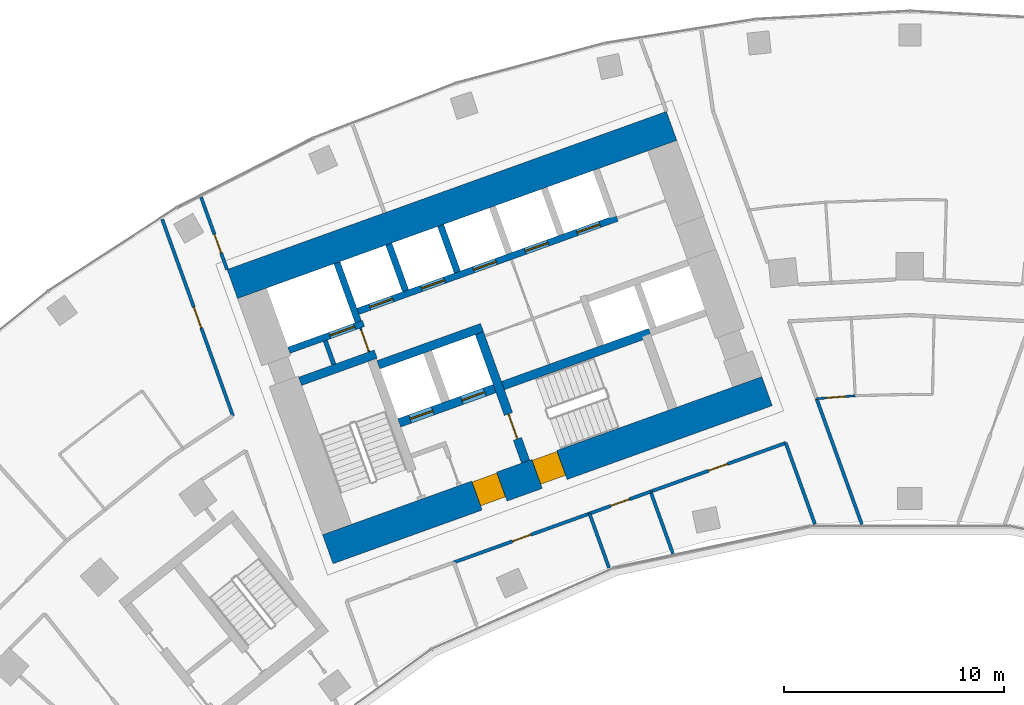
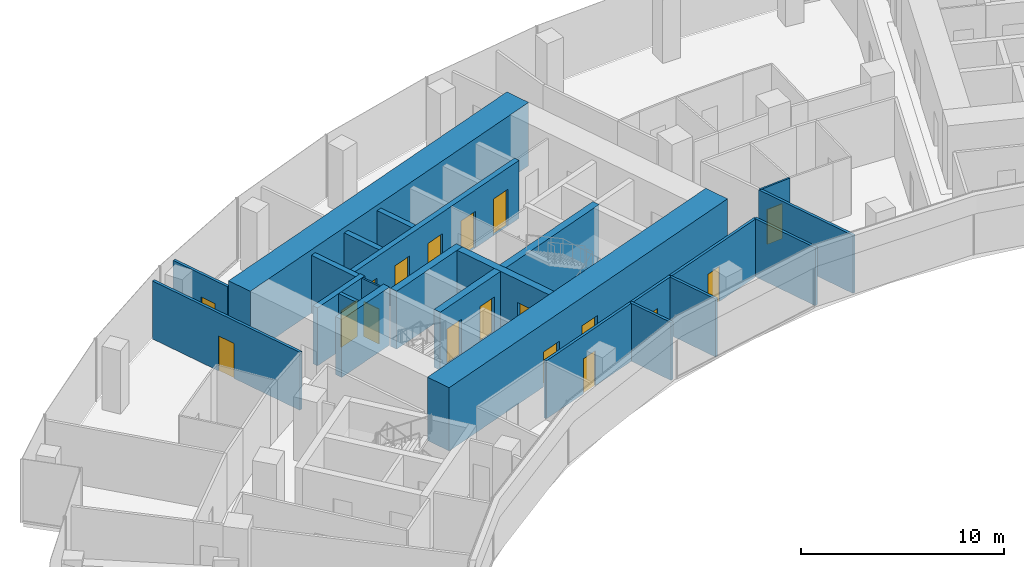
# One storey, part 14 of 21: 23 walls, 18 doors, 18 openings.
"""IFC4 building model written with IfcOpenShell, lengths in metres."""

from ifc_helpers import new_model, si_unit, direction, frame, frame_2d, origin, place, context, subcontext, project, spatial, rectangle, extrude, material, layer, layer_set, type_object, element, fill, save


model = new_model("IFC4")

# Units and contexts
model_context = context("Model", 3, precision=1e-05, world=origin(), true_north=direction((0.0, 1.0)))
body_context = subcontext(model_context, "Body", "Model", "MODEL_VIEW")
ifc_project = project(units=[si_unit("LENGTHUNIT", "METRE"), si_unit("AREAUNIT", "SQUARE_METRE"), si_unit("VOLUMEUNIT", "CUBIC_METRE"), si_unit("PLANEANGLEUNIT", "RADIAN"), si_unit("MASSUNIT", "GRAM", prefix="KILO")], contexts=[model_context])

# Site, building, storey
site_placement = place(None, origin())
site = spatial("IfcSite", under=ifc_project, at=site_placement, CompositionType="ELEMENT")
building_placement = place(site_placement, origin())
building = spatial("IfcBuilding", under=site, at=building_placement, Name="Stone Belt Terrace Tower", CompositionType="ELEMENT")
storey_placement = place(building_placement, frame((0.0, 0.0, 163.0)))
storey = spatial("IfcBuildingStorey", under=building, at=storey_placement, Name="L39", CompositionType="ELEMENT", Elevation=163.0)

# Wall, opening, door
ifc_material_1 = material(Name="Plasterboard partition")
ifc_layer_1 = layer(ifc_material_1, 0.10009765625)
ifc_layer_set_1 = layer_set([ifc_layer_1], Name="Core partition 100")
wall_type_1 = type_object("IfcWallType", Name="Core partition 100", PredefinedType="PARTITIONING", material=ifc_layer_set_1)
wall_1_placement = place(storey_placement, frame((-24.555908203125, 51.10400390625, 0.0), z_axis=(0.0, 0.0, 1.0), x_axis=(-0.338621735342, 0.94092258999, 0.0)))
wall_1 = element("IfcWall", 1, at=wall_1_placement, inside=storey, type_object=wall_type_1, Name="Core A wall", PredefinedType="PARTITIONING", context=body_context, shape_type="SweptSolid", body=[
    extrude(rectangle(XDim=1.14990234375, YDim=0.10009765625, at=frame_2d((0.574951171875, 0.0))), origin(), (0.0, 0.0, 1.0), 3.47998046875),
])
opening_1_placement = place(wall_1_placement, frame((0.050048828125, 0.0, 0.0)))
opening_1 = element("IfcOpeningElement", 2, at=opening_1_placement, cuts=wall_1, Name="Opening L39-C05", PredefinedType="OPENING", context=body_context, shape_type="SweptSolid", body=[
    extrude(rectangle(XDim=1.0, YDim=2.10009765625, at=frame_2d((0.5, 1.050048828125))), frame((0.0, 0.06005859375, 0.0), z_axis=(0.0, -1.0, 0.0), x_axis=(1.0, 0.0, 0.0)), (0.0, 0.0, 1.0), 0.1201171875),
])
ifc_material_2 = material(Name="Timber door leaf", Category="wood")
door_type_1 = type_object("IfcDoorType", Name="Core room door 1000", OperationType="SINGLE_SWING_LEFT", PredefinedType="DOOR", material=ifc_material_2)
door_1_placement = place(opening_1_placement, origin())
door_1 = element("IfcDoor", 3, at=door_1_placement, inside=storey, type_object=door_type_1, Name="Service lift lobby door core A", OperationType="SINGLE_SWING_LEFT", OverallHeight=2.10009765625, OverallWidth=1.0, PredefinedType="DOOR", context=body_context, shape_type="SweptSolid", body=[
    extrude(rectangle(XDim=1.0, YDim=2.10009765625, at=frame_2d((0.5, 1.050048828125))), frame((0.0, 0.02490234375, 0.0), z_axis=(0.0, -1.0, 0.0), x_axis=(1.0, 0.0, 0.0)), (0.0, 0.0, 1.0), 0.050048828125),
])
fill(opening_1, door_1)

# Wall, openings, doors
ifc_material_3 = material(Name="Concrete B80", Category="concrete")
ifc_layer_2 = layer(ifc_material_3, 1.39990234375)
ifc_layer_set_2 = layer_set([ifc_layer_2], Name="Core wall 1400 B80")
wall_type_2 = type_object("IfcWallType", Name="Core wall 1400 B80", PredefinedType="SHEAR", material=ifc_layer_set_2)
wall_2_placement = place(storey_placement, frame((-26.430908203125, 42.139404296875, 0.0), z_axis=(0.0, 0.0, 1.0), x_axis=(0.940923374003, 0.33861955681, 0.0)))
wall_2 = element("IfcWall", 4, at=wall_2_placement, inside=storey, type_object=wall_type_2, Name="Core A wall concave L39", PredefinedType="SHEAR", context=body_context, shape_type="SweptSolid", body=[
    extrude(rectangle(XDim=21.199951171875, YDim=1.39990234375, at=frame_2d((10.60009765625, 0.0))), origin(), (0.0, 0.0, 1.0), 3.800048828125),
])
opening_2_placement = place(wall_2_placement, frame((7.199951171875, 0.0, 0.0)))
opening_2 = element("IfcOpeningElement", 5, at=opening_2_placement, cuts=wall_2, Name="Opening L39-C10", PredefinedType="OPENING", context=body_context, shape_type="SweptSolid", body=[
    extrude(rectangle(XDim=1.199951171875, YDim=2.10009765625, at=frame_2d((0.60009765625, 1.050048828125))), frame((0.0, 0.7099609375, 0.0), z_axis=(0.0, -1.0, 0.0), x_axis=(1.0, 0.0, 0.0)), (0.0, 0.0, 1.0), 1.419921875),
])
opening_3_placement = place(wall_2_placement, frame((10.099853515625, 0.0, 0.0)))
opening_3 = element("IfcOpeningElement", 6, at=opening_3_placement, cuts=wall_2, Name="Opening L39-C12", PredefinedType="OPENING", context=body_context, shape_type="SweptSolid", body=[
    extrude(rectangle(XDim=1.199951171875, YDim=2.10009765625, at=frame_2d((0.60009765625, 1.050048828125))), frame((0.0, 0.7099609375, 0.0), z_axis=(0.0, -1.0, 0.0), x_axis=(1.0, 0.0, 0.0)), (0.0, 0.0, 1.0), 1.419921875),
])
ifc_material_4 = material(Name="Steel door leaf", Category="steel")
door_type_2 = type_object("IfcDoorType", Name="Fire-fighting lobby door 1200", OperationType="SINGLE_SWING_LEFT", PredefinedType="DOOR", material=ifc_material_4)
door_2_placement = place(opening_2_placement, origin())
door_2 = element("IfcDoor", 7, at=door_2_placement, inside=storey, type_object=door_type_2, Name="Fire-fighting lobby door core A", OperationType="SINGLE_SWING_LEFT", OverallHeight=2.10009765625, OverallWidth=1.199951171875, PredefinedType="DOOR", context=body_context, shape_type="SweptSolid", body=[
    extrude(rectangle(XDim=1.199951171875, YDim=2.10009765625, at=frame_2d((0.60009765625, 1.050048828125))), frame((0.0, 0.655029296875, 0.0), z_axis=(0.0, -1.0, 0.0), x_axis=(1.0, 0.0, 0.0)), (0.0, 0.0, 1.0), 1.14990234375),
])
fill(opening_2, door_2)
door_type_3 = type_object("IfcDoorType", Name="Stair door 1200", OperationType="SINGLE_SWING_LEFT", PredefinedType="DOOR", material=ifc_material_4)
door_3_placement = place(opening_3_placement, origin())
door_3 = element("IfcDoor", 8, at=door_3_placement, inside=storey, type_object=door_type_3, Name="Stair 2 exit door core A", OperationType="SINGLE_SWING_RIGHT", OverallHeight=2.10009765625, OverallWidth=1.199951171875, PredefinedType="DOOR", context=body_context, shape_type="SweptSolid", body=[
    extrude(rectangle(XDim=1.199951171875, YDim=2.10009765625, at=frame_2d((0.60009765625, 1.050048828125))), frame((0.0, 0.655029296875, 0.0), z_axis=(0.0, -1.0, 0.0), x_axis=(1.0, 0.0, 0.0)), (0.0, 0.0, 1.0), 1.14990234375),
])
fill(opening_3, door_3)

# Walls
wall_3_placement = place(storey_placement, frame((-30.765380859375, 54.18310546875, 0.0), z_axis=(0.0, 0.0, 1.0), x_axis=(0.940919704758, 0.338629752382, 0.0)))
element("IfcWall", 9, at=wall_3_placement, inside=storey, type_object=wall_type_2, Name="Core A wall convex L39", PredefinedType="SHEAR", context=body_context, shape_type="SweptSolid", body=[
    extrude(rectangle(XDim=21.199951171875, YDim=1.39990234375, at=frame_2d((10.60009765625, 0.0))), origin(), (0.0, 0.0, 1.0), 3.800048828125),
])
ifc_layer_3 = layer(ifc_material_3, 0.39990234375)
ifc_layer_set_3 = layer_set([ifc_layer_3], Name="Fire-fighting lift shaft wall 400")
wall_type_3 = type_object("IfcWallType", Name="Fire-fighting lift shaft wall 400", PredefinedType="SHEAR", material=ifc_layer_set_3)
wall_4_placement = place(storey_placement, frame((-24.130615234375, 50.512939453125, 0.0), z_axis=(0.0, 0.0, 1.0), x_axis=(0.94091168377, 0.338652038744, 0.0)))
element("IfcWall", 10, at=wall_4_placement, inside=storey, type_object=wall_type_3, Name="Core A wall", PredefinedType="SHEAR", context=body_context, shape_type="SweptSolid", body=[
    extrude(rectangle(XDim=5.000244140625, YDim=0.39990234375, at=frame_2d((2.5, 0.0))), origin(), (0.0, 0.0, 1.0), 3.47998046875),
])

# Wall, opening, door
ifc_layer_4 = layer(ifc_material_3, 0.300048828125)
ifc_layer_set_4 = layer_set([ifc_layer_4], Name="Lift shaft wall 300")
wall_type_4 = type_object("IfcWallType", Name="Lift shaft wall 300", PredefinedType="SHEAR", material=ifc_layer_set_4)
wall_5_placement = place(storey_placement, frame((-28.195068359375, 51.17578125, 0.0), z_axis=(0.0, 0.0, 1.0), x_axis=(0.940901243567, 0.338681044427, 0.0)))
wall_5 = element("IfcWall", 11, at=wall_5_placement, inside=storey, type_object=wall_type_4, Name="Core A wall", PredefinedType="SHEAR", context=body_context, shape_type="SweptSolid", body=[
    extrude(rectangle(XDim=3.599853515625, YDim=0.300048828125, at=frame_2d((1.7998046875, 0.0))), origin(), (0.0, 0.0, 1.0), 3.47998046875),
])
opening_4_placement = place(wall_5_placement, frame((1.969970703125, 0.0, 0.0)))
opening_4 = element("IfcOpeningElement", 12, at=opening_4_placement, cuts=wall_5, Name="Opening L39-LD08", PredefinedType="OPENING", context=body_context, shape_type="SweptSolid", body=[
    extrude(rectangle(XDim=1.199951171875, YDim=2.199951171875, at=frame_2d((0.60009765625, 1.10009765625))), frame((0.0, 0.159912109375, 0.0), z_axis=(0.0, -1.0, 0.0), x_axis=(1.0, 0.0, 0.0)), (0.0, 0.0, 1.0), 0.320068359375),
])
ifc_material_5 = material(Name="Stainless steel door leaf", Category="steel")
door_type_4 = type_object("IfcDoorType", Name="Landing door 1200", OperationType="SLIDING_TO_LEFT", PredefinedType="DOOR", material=ifc_material_5)
door_4_placement = place(opening_4_placement, origin())
door_4 = element("IfcDoor", 13, at=door_4_placement, inside=storey, type_object=door_type_4, Name="Landing door SV1 core A", OperationType="SLIDING_TO_LEFT", OverallHeight=2.199951171875, OverallWidth=1.199951171875, PredefinedType="DOOR", context=body_context, shape_type="SweptSolid", body=[
    extrude(rectangle(XDim=1.199951171875, YDim=2.199951171875, at=frame_2d((0.60009765625, 1.10009765625))), frame((0.0, 0.02490234375, 0.0), z_axis=(0.0, -1.0, 0.0), x_axis=(1.0, 0.0, 0.0)), (0.0, 0.0, 1.0), 0.050048828125),
])
fill(opening_4, door_4)

# Wall
wall_6_placement = place(storey_placement, frame((-25.046875, 52.46826171875, 0.0), z_axis=(0.0, 0.0, 1.0), x_axis=(-0.338549588058, 0.940948551423, 0.0)))
element("IfcWall", 14, at=wall_6_placement, inside=storey, type_object=wall_type_4, Name="Core A wall", PredefinedType="SHEAR", context=body_context, shape_type="SweptSolid", body=[
    extrude(rectangle(XDim=2.849853515625, YDim=0.300048828125, at=frame_2d((1.4248046875, 0.0))), origin(), (0.0, 0.0, 1.0), 3.47998046875),
])

# Wall, openings, doors
wall_7_placement = place(storey_placement, frame((-25.05810546875, 52.9423828125, 0.0), z_axis=(0.0, 0.0, 1.0), x_axis=(0.940920770291, 0.338626791666, 0.0)))
wall_7 = element("IfcWall", 15, at=wall_7_placement, inside=storey, type_object=wall_type_4, Name="Core A wall", PredefinedType="SHEAR", context=body_context, shape_type="SweptSolid", body=[
    extrude(rectangle(XDim=12.500244140625, YDim=0.300048828125, at=frame_2d((6.25, 0.0))), origin(), (0.0, 0.0, 1.0), 3.47998046875),
])
opening_5_placement = place(wall_7_placement, frame((0.570068359375, 0.0, 0.0)))
opening_5 = element("IfcOpeningElement", 16, at=opening_5_placement, cuts=wall_7, Name="Opening L39-LD01", PredefinedType="OPENING", context=body_context, shape_type="SweptSolid", body=[
    extrude(rectangle(XDim=1.10009765625, YDim=2.199951171875, at=frame_2d((0.550048828125, 1.10009765625))), frame((0.0, 0.159912109375, 0.0), z_axis=(0.0, -1.0, 0.0), x_axis=(1.0, 0.0, 0.0)), (0.0, 0.0, 1.0), 0.320068359375),
])
opening_6_placement = place(wall_7_placement, frame((3.070068359375, 0.0, 0.0)))
opening_6 = element("IfcOpeningElement", 17, at=opening_6_placement, cuts=wall_7, Name="Opening L39-LD02", PredefinedType="OPENING", context=body_context, shape_type="SweptSolid", body=[
    extrude(rectangle(XDim=1.10009765625, YDim=2.199951171875, at=frame_2d((0.550048828125, 1.10009765625))), frame((0.0, 0.159912109375, 0.0), z_axis=(0.0, -1.0, 0.0), x_axis=(1.0, 0.0, 0.0)), (0.0, 0.0, 1.0), 0.320068359375),
])
opening_7_placement = place(wall_7_placement, frame((5.570068359375, 0.0, 0.0)))
opening_7 = element("IfcOpeningElement", 18, at=opening_7_placement, cuts=wall_7, Name="Opening L39-LD03", PredefinedType="OPENING", context=body_context, shape_type="SweptSolid", body=[
    extrude(rectangle(XDim=1.10009765625, YDim=2.199951171875, at=frame_2d((0.550048828125, 1.10009765625))), frame((0.0, 0.159912109375, 0.0), z_axis=(0.0, -1.0, 0.0), x_axis=(1.0, 0.0, 0.0)), (0.0, 0.0, 1.0), 0.320068359375),
])
opening_8_placement = place(wall_7_placement, frame((8.070068359375, 0.0, 0.0)))
opening_8 = element("IfcOpeningElement", 19, at=opening_8_placement, cuts=wall_7, Name="Opening L39-LD04", PredefinedType="OPENING", context=body_context, shape_type="SweptSolid", body=[
    extrude(rectangle(XDim=1.10009765625, YDim=2.199951171875, at=frame_2d((0.550048828125, 1.10009765625))), frame((0.0, 0.159912109375, 0.0), z_axis=(0.0, -1.0, 0.0), x_axis=(1.0, 0.0, 0.0)), (0.0, 0.0, 1.0), 0.320068359375),
])
opening_9_placement = place(wall_7_placement, frame((10.570068359375, 0.0, 0.0)))
opening_9 = element("IfcOpeningElement", 20, at=opening_9_placement, cuts=wall_7, Name="Opening L39-LD05", PredefinedType="OPENING", context=body_context, shape_type="SweptSolid", body=[
    extrude(rectangle(XDim=1.10009765625, YDim=2.199951171875, at=frame_2d((0.550048828125, 1.10009765625))), frame((0.0, 0.159912109375, 0.0), z_axis=(0.0, -1.0, 0.0), x_axis=(1.0, 0.0, 0.0)), (0.0, 0.0, 1.0), 0.320068359375),
])
door_type_5 = type_object("IfcDoorType", Name="Landing door 1100", OperationType="SLIDING_TO_LEFT", PredefinedType="DOOR", material=ifc_material_5)
door_5_placement = place(opening_5_placement, origin())
door_5 = element("IfcDoor", 21, at=door_5_placement, inside=storey, type_object=door_type_5, Name="Landing door MR1 core A", OperationType="SLIDING_TO_LEFT", OverallHeight=2.199951171875, OverallWidth=1.10009765625, PredefinedType="DOOR", context=body_context, shape_type="SweptSolid", body=[
    extrude(rectangle(XDim=1.10009765625, YDim=2.199951171875, at=frame_2d((0.550048828125, 1.10009765625))), frame((0.0, 0.02490234375, 0.0), z_axis=(0.0, -1.0, 0.0), x_axis=(1.0, 0.0, 0.0)), (0.0, 0.0, 1.0), 0.050048828125),
])
fill(opening_5, door_5)
door_6_placement = place(opening_6_placement, origin())
door_6 = element("IfcDoor", 22, at=door_6_placement, inside=storey, type_object=door_type_5, Name="Landing door MR2 core A", OperationType="SLIDING_TO_LEFT", OverallHeight=2.199951171875, OverallWidth=1.10009765625, PredefinedType="DOOR", context=body_context, shape_type="SweptSolid", body=[
    extrude(rectangle(XDim=1.10009765625, YDim=2.199951171875, at=frame_2d((0.550048828125, 1.10009765625))), frame((0.0, 0.02490234375, 0.0), z_axis=(0.0, -1.0, 0.0), x_axis=(1.0, 0.0, 0.0)), (0.0, 0.0, 1.0), 0.050048828125),
])
fill(opening_6, door_6)
door_7_placement = place(opening_7_placement, origin())
door_7 = element("IfcDoor", 23, at=door_7_placement, inside=storey, type_object=door_type_5, Name="Landing door MR3 core A", OperationType="SLIDING_TO_LEFT", OverallHeight=2.199951171875, OverallWidth=1.10009765625, PredefinedType="DOOR", context=body_context, shape_type="SweptSolid", body=[
    extrude(rectangle(XDim=1.10009765625, YDim=2.199951171875, at=frame_2d((0.550048828125, 1.10009765625))), frame((0.0, 0.02490234375, 0.0), z_axis=(0.0, -1.0, 0.0), x_axis=(1.0, 0.0, 0.0)), (0.0, 0.0, 1.0), 0.050048828125),
])
fill(opening_7, door_7)
door_8_placement = place(opening_8_placement, origin())
door_8 = element("IfcDoor", 24, at=door_8_placement, inside=storey, type_object=door_type_5, Name="Landing door MR4 core A", OperationType="SLIDING_TO_LEFT", OverallHeight=2.199951171875, OverallWidth=1.10009765625, PredefinedType="DOOR", context=body_context, shape_type="SweptSolid", body=[
    extrude(rectangle(XDim=1.10009765625, YDim=2.199951171875, at=frame_2d((0.550048828125, 1.10009765625))), frame((0.0, 0.02490234375, 0.0), z_axis=(0.0, -1.0, 0.0), x_axis=(1.0, 0.0, 0.0)), (0.0, 0.0, 1.0), 0.050048828125),
])
fill(opening_8, door_8)
door_9_placement = place(opening_9_placement, origin())
door_9 = element("IfcDoor", 25, at=door_9_placement, inside=storey, type_object=door_type_5, Name="Landing door MR5 core A", OperationType="SLIDING_TO_LEFT", OverallHeight=2.199951171875, OverallWidth=1.10009765625, PredefinedType="DOOR", context=body_context, shape_type="SweptSolid", body=[
    extrude(rectangle(XDim=1.10009765625, YDim=2.199951171875, at=frame_2d((0.550048828125, 1.10009765625))), frame((0.0, 0.02490234375, 0.0), z_axis=(0.0, -1.0, 0.0), x_axis=(1.0, 0.0, 0.0)), (0.0, 0.0, 1.0), 0.050048828125),
])
fill(opening_9, door_9)

# Walls
wall_8_placement = place(storey_placement, frame((-22.897705078125, 53.87939453125, 0.0), z_axis=(0.0, 0.0, 1.0), x_axis=(-0.338535034312, 0.940953787677, 0.0)))
element("IfcWall", 26, at=wall_8_placement, inside=storey, type_object=wall_type_4, Name="Core A wall", PredefinedType="SHEAR", context=body_context, shape_type="SweptSolid", body=[
    extrude(rectangle(XDim=2.25, YDim=0.300048828125, at=frame_2d((1.125, 0.0))), origin(), (0.0, 0.0, 1.0), 3.47998046875),
])
wall_9_placement = place(storey_placement, frame((-20.54541015625, 54.72607421875, 0.0), z_axis=(0.0, 0.0, 1.0), x_axis=(-0.338569601369, 0.940941350472, 0.0)))
element("IfcWall", 27, at=wall_9_placement, inside=storey, type_object=wall_type_4, Name="Core A wall", PredefinedType="SHEAR", context=body_context, shape_type="SweptSolid", body=[
    extrude(rectangle(XDim=2.249755859375, YDim=0.300048828125, at=frame_2d((1.125, 0.0))), origin(), (0.0, 0.0, 1.0), 3.47998046875),
])

# Wall, opening, door
ifc_material_6 = material(Name="Gypsum board partition")
ifc_layer_5 = layer(ifc_material_6, 0.10009765625)
ifc_layer_set_5 = layer_set([ifc_layer_5], Name="PARTITION 100")
wall_type_5 = type_object("IfcWallType", Name="PARTITION 100", PredefinedType="PARTITIONING", material=ifc_layer_set_5)
wall_10_placement = place(storey_placement, frame((-4.235107421875, 48.97607421875, 0.0), z_axis=(0.0, 0.0, 1.0), x_axis=(0.997008598424, 0.077290715285, 0.0)))
wall_10 = element("IfcWall", 28, at=wall_10_placement, inside=storey, type_object=wall_type_5, Name="L39/wall/i091", PredefinedType="PARTITIONING", context=body_context, shape_type="SweptSolid", body=[
    extrude(rectangle(XDim=1.759521484375, YDim=0.10009765625, at=frame_2d((0.8798828125, 0.0))), origin(), (0.0, 0.0, 1.0), 3.47998046875),
])
opening_10_placement = place(wall_10_placement, frame((0.4296875, 0.0, 0.0)))
opening_10 = element("IfcOpeningElement", 29, at=opening_10_placement, cuts=wall_10, Name="Opening D-C2-28", PredefinedType="OPENING", context=body_context, shape_type="SweptSolid", body=[
    extrude(rectangle(XDim=0.89990234375, YDim=2.10009765625, at=frame_2d((0.449951171875, 1.050048828125))), frame((0.0, 0.06005859375, 0.0), z_axis=(0.0, -1.0, 0.0), x_axis=(1.0, 0.0, 0.0)), (0.0, 0.0, 1.0), 0.1201171875),
])
door_type_6 = type_object("IfcDoorType", Name="OFFICE DOOR 900 X 2100", OperationType="NOTDEFINED", PredefinedType="DOOR", material=ifc_material_2)
door_10_placement = place(opening_10_placement, origin())
door_10 = element("IfcDoor", 30, at=door_10_placement, inside=storey, type_object=door_type_6, Name="L39/door/i28", OperationType="SINGLE_SWING_RIGHT", OverallHeight=2.10009765625, OverallWidth=0.89990234375, PredefinedType="DOOR", context=body_context, shape_type="SweptSolid", body=[
    extrude(rectangle(XDim=0.89990234375, YDim=2.10009765625, at=frame_2d((0.449951171875, 1.050048828125))), frame((0.0, 0.02490234375, 0.0), z_axis=(0.0, -1.0, 0.0), x_axis=(1.0, 0.0, 0.0)), (0.0, 0.0, 1.0), 0.050048828125),
])
fill(opening_10, door_10)

ifc_layer_6 = layer(ifc_material_6, 0.14990234375)
ifc_layer_set_6 = layer_set([ifc_layer_6], Name="PARTITION 150 EI 60")
wall_type_6 = type_object("IfcWallType", Name="PARTITION 150 EI 60", PredefinedType="PARTITIONING", material=ifc_layer_set_6)
wall_11_placement = place(storey_placement, frame((-32.185791015625, 58.131103515625, 0.0), z_axis=(0.0, 0.0, 1.0), x_axis=(0.338662585219, -0.940907887826, 0.0)))
wall_11 = element("IfcWall", 31, at=wall_11_placement, inside=storey, type_object=wall_type_6, Name="L39/wall/i002", PredefinedType="PARTITIONING", context=body_context, shape_type="SweptSolid", body=[
    extrude(rectangle(XDim=3.49560546875, YDim=0.14990234375, at=frame_2d((1.747802734375, 0.0))), origin(), (0.0, 0.0, 1.0), 3.47998046875),
])
opening_11_placement = place(wall_11_placement, frame((1.796630859375, 0.0, 0.0)))
opening_11 = element("IfcOpeningElement", 32, at=opening_11_placement, cuts=wall_11, Name="Opening D-C2-05", PredefinedType="OPENING", context=body_context, shape_type="SweptSolid", body=[
    extrude(rectangle(XDim=0.89990234375, YDim=2.10009765625, at=frame_2d((0.449951171875, 1.050048828125))), frame((0.0, 0.0849609375, 0.0), z_axis=(0.0, -1.0, 0.0), x_axis=(1.0, 0.0, 0.0)), (0.0, 0.0, 1.0), 0.169921875),
])
door_11_placement = place(opening_11_placement, origin())
door_11 = element("IfcDoor", 33, at=door_11_placement, inside=storey, type_object=door_type_6, Name="L39/door/i05", OperationType="SINGLE_SWING_RIGHT", OverallHeight=2.10009765625, OverallWidth=0.89990234375, PredefinedType="DOOR", context=body_context, shape_type="SweptSolid", body=[
    extrude(rectangle(XDim=0.89990234375, YDim=2.10009765625, at=frame_2d((0.449951171875, 1.050048828125))), frame((0.0, 0.02490234375, 0.0), z_axis=(0.0, -1.0, 0.0), x_axis=(1.0, 0.0, 0.0)), (0.0, 0.0, 1.0), 0.050048828125),
])
fill(opening_11, door_11)

wall_12_placement = place(storey_placement, frame((-30.737060546875, 48.197021484375, 0.0), z_axis=(0.0, 0.0, 1.0), x_axis=(-0.338586530295, 0.940935258933, 0.0)))
wall_12 = element("IfcWall", 34, at=wall_12_placement, inside=storey, type_object=wall_type_6, Name="L39/wall/i006", PredefinedType="PARTITIONING", context=body_context, shape_type="SweptSolid", body=[
    extrude(rectangle(XDim=9.494873046875, YDim=0.14990234375, at=frame_2d((4.74755859375, 0.0))), origin(), (0.0, 0.0, 1.0), 3.47998046875),
])
opening_12_placement = place(wall_12_placement, frame((4.24755859375, 0.0, 0.0)))
opening_12 = element("IfcOpeningElement", 35, at=opening_12_placement, cuts=wall_12, Name="Opening D-C2-16", PredefinedType="OPENING", context=body_context, shape_type="SweptSolid", body=[
    extrude(rectangle(XDim=1.0, YDim=2.10009765625, at=frame_2d((0.5, 1.050048828125))), frame((0.0, 0.0849609375, 0.0), z_axis=(0.0, -1.0, 0.0), x_axis=(1.0, 0.0, 0.0)), (0.0, 0.0, 1.0), 0.169921875),
])
ifc_material_7 = material(Name="Timber fire door leaf", Category="wood")
door_type_7 = type_object("IfcDoorType", Name="TENANCY ENTRANCE DOOR 1000 X 2100", OperationType="NOTDEFINED", PredefinedType="DOOR", material=ifc_material_7)
door_12_placement = place(opening_12_placement, origin())
door_12 = element("IfcDoor", 36, at=door_12_placement, inside=storey, type_object=door_type_7, Name="L39/door/i16", OperationType="SINGLE_SWING_RIGHT", OverallHeight=2.10009765625, OverallWidth=1.0, PredefinedType="DOOR", context=body_context, shape_type="SweptSolid", body=[
    extrude(rectangle(XDim=1.0, YDim=2.10009765625, at=frame_2d((0.5, 1.050048828125))), frame((0.0, 0.02490234375, 0.0), z_axis=(0.0, -1.0, 0.0), x_axis=(1.0, 0.0, 0.0)), (0.0, 0.0, 1.0), 0.050048828125),
])
fill(opening_12, door_12)

# Walls
wall_13_placement = place(storey_placement, frame((-4.31005859375, 43.27880859375, 0.0), z_axis=(0.0, 0.0, 1.0), x_axis=(-0.338569683937, 0.940941320763, 0.0)))
element("IfcWall", 37, at=wall_13_placement, inside=storey, type_object=wall_type_6, Name="L39/wall/i007", PredefinedType="PARTITIONING", context=body_context, shape_type="SweptSolid", body=[
    extrude(rectangle(XDim=3.9248046875, YDim=0.14990234375, at=frame_2d((1.96240234375, 0.0))), origin(), (0.0, 0.0, 1.0), 3.47998046875),
])
wall_14_placement = place(storey_placement, frame((-4.237060546875, 48.98193359375, 0.0), z_axis=(0.0, 0.0, 1.0), x_axis=(0.338619922339, -0.940923242457, 0.0)))
element("IfcWall", 38, at=wall_14_placement, inside=storey, type_object=wall_type_6, Name="L39/wall/i009", PredefinedType="PARTITIONING", context=body_context, shape_type="SweptSolid", body=[
    extrude(rectangle(XDim=6.079345703125, YDim=0.14990234375, at=frame_2d((3.03955078125, 0.0))), origin(), (0.0, 0.0, 1.0), 3.47998046875),
])

# Wall, opening, door
wall_15_placement = place(storey_placement, frame((-14.541015625, 43.761962890625, 0.0), z_axis=(0.0, 0.0, 1.0), x_axis=(-0.940877438466, -0.338747170889, 0.0)))
wall_15 = element("IfcWall", 39, at=wall_15_placement, inside=storey, type_object=wall_type_6, Name="L39/wall/i015", PredefinedType="PARTITIONING", context=body_context, shape_type="SweptSolid", body=[
    extrude(rectangle(XDim=6.553466796875, YDim=0.14990234375, at=frame_2d((3.27685546875, 0.0))), origin(), (0.0, 0.0, 1.0), 3.47998046875),
])
opening_13_placement = place(wall_15_placement, frame((2.82666015625, 0.0, 0.0)))
opening_13 = element("IfcOpeningElement", 40, at=opening_13_placement, cuts=wall_15, Name="Opening D-C2-02", PredefinedType="OPENING", context=body_context, shape_type="SweptSolid", body=[
    extrude(rectangle(XDim=0.89990234375, YDim=2.10009765625, at=frame_2d((0.449951171875, 1.050048828125))), frame((0.0, 0.0849609375, 0.0), z_axis=(0.0, -1.0, 0.0), x_axis=(1.0, 0.0, 0.0)), (0.0, 0.0, 1.0), 0.169921875),
])
door_13_placement = place(opening_13_placement, origin())
door_13 = element("IfcDoor", 41, at=door_13_placement, inside=storey, type_object=door_type_6, Name="L39/door/i02", OperationType="SINGLE_SWING_RIGHT", OverallHeight=2.10009765625, OverallWidth=0.89990234375, PredefinedType="DOOR", context=body_context, shape_type="SweptSolid", body=[
    extrude(rectangle(XDim=0.89990234375, YDim=2.10009765625, at=frame_2d((0.449951171875, 1.050048828125))), frame((0.0, 0.02490234375, 0.0), z_axis=(0.0, -1.0, 0.0), x_axis=(1.0, 0.0, 0.0)), (0.0, 0.0, 1.0), 0.050048828125),
])
fill(opening_13, door_13)

wall_16_placement = place(storey_placement, frame((-11.76806640625, 44.760009765625, 0.0), z_axis=(0.0, 0.0, 1.0), x_axis=(-0.940915809534, -0.338640575491, 0.0)))
wall_16 = element("IfcWall", 42, at=wall_16_placement, inside=storey, type_object=wall_type_6, Name="L39/wall/i016", PredefinedType="PARTITIONING", context=body_context, shape_type="SweptSolid", body=[
    extrude(rectangle(XDim=2.958740234375, YDim=0.14990234375, at=frame_2d((1.4794921875, 0.0))), origin(), (0.0, 0.0, 1.0), 3.47998046875),
])
opening_14_placement = place(wall_16_placement, frame((1.029296875, 0.0, 0.0)))
opening_14 = element("IfcOpeningElement", 43, at=opening_14_placement, cuts=wall_16, Name="Opening D-C2-03", PredefinedType="OPENING", context=body_context, shape_type="SweptSolid", body=[
    extrude(rectangle(XDim=0.89990234375, YDim=2.10009765625, at=frame_2d((0.449951171875, 1.050048828125))), frame((0.0, 0.0849609375, 0.0), z_axis=(0.0, -1.0, 0.0), x_axis=(1.0, 0.0, 0.0)), (0.0, 0.0, 1.0), 0.169921875),
])
door_14_placement = place(opening_14_placement, origin())
door_14 = element("IfcDoor", 44, at=door_14_placement, inside=storey, type_object=door_type_6, Name="L39/door/i03", OperationType="SINGLE_SWING_RIGHT", OverallHeight=2.10009765625, OverallWidth=0.89990234375, PredefinedType="DOOR", context=body_context, shape_type="SweptSolid", body=[
    extrude(rectangle(XDim=0.89990234375, YDim=2.10009765625, at=frame_2d((0.449951171875, 1.050048828125))), frame((0.0, 0.02490234375, 0.0), z_axis=(0.0, -1.0, 0.0), x_axis=(1.0, 0.0, 0.0)), (0.0, 0.0, 1.0), 0.050048828125),
])
fill(opening_14, door_14)

wall_17_placement = place(storey_placement, frame((-5.636962890625, 46.966064453125, 0.0), z_axis=(0.0, 0.0, 1.0), x_axis=(-0.940945566249, -0.338557884795, 0.0)))
wall_17 = element("IfcWall", 45, at=wall_17_placement, inside=storey, type_object=wall_type_6, Name="L39/wall/i017", PredefinedType="PARTITIONING", context=body_context, shape_type="SweptSolid", body=[
    extrude(rectangle(XDim=6.527587890625, YDim=0.14990234375, at=frame_2d((3.263671875, 0.0))), origin(), (0.0, 0.0, 1.0), 3.47998046875),
])
opening_15_placement = place(wall_17_placement, frame((2.813720703125, 0.0, 0.0)))
opening_15 = element("IfcOpeningElement", 46, at=opening_15_placement, cuts=wall_17, Name="Opening D-C2-04", PredefinedType="OPENING", context=body_context, shape_type="SweptSolid", body=[
    extrude(rectangle(XDim=0.89990234375, YDim=2.10009765625, at=frame_2d((0.449951171875, 1.050048828125))), frame((0.0, 0.0849609375, 0.0), z_axis=(0.0, -1.0, 0.0), x_axis=(1.0, 0.0, 0.0)), (0.0, 0.0, 1.0), 0.169921875),
])
door_15_placement = place(opening_15_placement, origin())
door_15 = element("IfcDoor", 47, at=door_15_placement, inside=storey, type_object=door_type_6, Name="L39/door/i04", OperationType="SINGLE_SWING_RIGHT", OverallHeight=2.10009765625, OverallWidth=0.89990234375, PredefinedType="DOOR", context=body_context, shape_type="SweptSolid", body=[
    extrude(rectangle(XDim=0.89990234375, YDim=2.10009765625, at=frame_2d((0.449951171875, 1.050048828125))), frame((0.0, 0.02490234375, 0.0), z_axis=(0.0, -1.0, 0.0), x_axis=(1.0, 0.0, 0.0)), (0.0, 0.0, 1.0), 0.050048828125),
])
fill(opening_15, door_15)

# Walls
wall_18_placement = place(storey_placement, frame((-14.5458984375, 43.759033203125, 0.0), z_axis=(0.0, 0.0, 1.0), x_axis=(0.33892689615, -0.940812712003, 0.0)))
element("IfcWall", 48, at=wall_18_placement, inside=storey, type_object=wall_type_6, Name="L39/wall/i019", PredefinedType="PARTITIONING", context=body_context, shape_type="SweptSolid", body=[
    extrude(rectangle(XDim=2.625732421875, YDim=0.14990234375, at=frame_2d((1.31298828125, 0.0))), origin(), (0.0, 0.0, 1.0), 3.47998046875),
])
wall_19_placement = place(storey_placement, frame((-11.77294921875, 44.757080078125, 0.0), z_axis=(0.0, 0.0, 1.0), x_axis=(0.338702136276, -0.940893651207, 0.0)))
element("IfcWall", 49, at=wall_19_placement, inside=storey, type_object=wall_type_6, Name="L39/wall/i020", PredefinedType="PARTITIONING", context=body_context, shape_type="SweptSolid", body=[
    extrude(rectangle(XDim=2.992919921875, YDim=0.14990234375, at=frame_2d((1.49658203125, 0.0))), origin(), (0.0, 0.0, 1.0), 3.47998046875),
])
ifc_material_8 = material(Name="Concrete masonry block", Category="masonry")
ifc_layer_7 = layer(ifc_material_8, 0.199951171875)
ifc_layer_set_7 = layer_set([ifc_layer_7], Name="Rated lobby wall 200")
wall_type_7 = type_object("IfcWallType", Name="Rated lobby wall 200", PredefinedType="PARTITIONING", material=ifc_layer_set_7)
wall_20_placement = place(storey_placement, frame((-26.1552734375, 50.5283203125, 0.0), z_axis=(0.0, 0.0, 1.0), x_axis=(-0.338621735342, 0.94092258999, 0.0)))
element("IfcWall", 50, at=wall_20_placement, inside=storey, type_object=wall_type_7, Name="Core A wall", PredefinedType="PARTITIONING", context=body_context, shape_type="SweptSolid", body=[
    extrude(rectangle(XDim=1.14990234375, YDim=0.199951171875, at=frame_2d((0.574951171875, 0.0))), origin(), (0.0, 0.0, 1.0), 3.47998046875),
])
ifc_layer_8 = layer(ifc_material_3, 0.39990234375)
ifc_layer_set_8 = layer_set([ifc_layer_8], Name="Stair enclosure wall 400")
wall_type_8 = type_object("IfcWallType", Name="Stair enclosure wall 400", PredefinedType="SHEAR", material=ifc_layer_set_8)
wall_21_placement = place(storey_placement, frame((-27.687255859375, 49.764404296875, 0.0), z_axis=(0.0, 0.0, 1.0), x_axis=(0.940918954884, 0.338631835981, 0.0)))
element("IfcWall", 51, at=wall_21_placement, inside=storey, type_object=wall_type_8, Name="Core A wall", PredefinedType="SHEAR", context=body_context, shape_type="SweptSolid", body=[
    extrude(rectangle(XDim=3.650146484375, YDim=0.39990234375, at=frame_2d((1.8251953125, 0.0))), origin(), (0.0, 0.0, 1.0), 3.47998046875),
])

# Wall, openings, doors
wall_22_placement = place(storey_placement, frame((-23.182373046875, 47.87841796875, 0.0), z_axis=(0.0, 0.0, 1.0), x_axis=(0.940921101762, 0.338625870628, 0.0)))
wall_22 = element("IfcWall", 52, at=wall_22_placement, inside=storey, type_object=wall_type_8, Name="Core A wall", PredefinedType="SHEAR", context=body_context, shape_type="SweptSolid", body=[
    extrude(rectangle(XDim=12.10009765625, YDim=0.39990234375, at=frame_2d((6.050048828125, 0.0))), origin(), (0.0, 0.0, 1.0), 3.47998046875),
])
opening_16_placement = place(wall_22_placement, frame((0.52001953125, 0.0, 0.0)))
opening_16 = element("IfcOpeningElement", 53, at=opening_16_placement, cuts=wall_22, Name="Opening L39-LD06", PredefinedType="OPENING", context=body_context, shape_type="SweptSolid", body=[
    extrude(rectangle(XDim=1.10009765625, YDim=2.199951171875, at=frame_2d((0.550048828125, 1.10009765625))), frame((0.0, 0.2099609375, 0.0), z_axis=(0.0, -1.0, 0.0), x_axis=(1.0, 0.0, 0.0)), (0.0, 0.0, 1.0), 0.419921875),
])
opening_17_placement = place(wall_22_placement, frame((3.02001953125, 0.0, 0.0)))
opening_17 = element("IfcOpeningElement", 54, at=opening_17_placement, cuts=wall_22, Name="Opening L39-LD07", PredefinedType="OPENING", context=body_context, shape_type="SweptSolid", body=[
    extrude(rectangle(XDim=1.10009765625, YDim=2.199951171875, at=frame_2d((0.550048828125, 1.10009765625))), frame((0.0, 0.2099609375, 0.0), z_axis=(0.0, -1.0, 0.0), x_axis=(1.0, 0.0, 0.0)), (0.0, 0.0, 1.0), 0.419921875),
])
door_16_placement = place(opening_16_placement, origin())
door_16 = element("IfcDoor", 55, at=door_16_placement, inside=storey, type_object=door_type_5, Name="Landing door FF1 core A", OperationType="SLIDING_TO_LEFT", OverallHeight=2.199951171875, OverallWidth=1.10009765625, PredefinedType="DOOR", context=body_context, shape_type="SweptSolid", body=[
    extrude(rectangle(XDim=1.10009765625, YDim=2.199951171875, at=frame_2d((0.550048828125, 1.10009765625))), frame((0.0, 0.02490234375, 0.0), z_axis=(0.0, -1.0, 0.0), x_axis=(1.0, 0.0, 0.0)), (0.0, 0.0, 1.0), 0.050048828125),
])
fill(opening_16, door_16)
door_17_placement = place(opening_17_placement, origin())
door_17 = element("IfcDoor", 56, at=door_17_placement, inside=storey, type_object=door_type_5, Name="Landing door FF2 core A", OperationType="SLIDING_TO_LEFT", OverallHeight=2.199951171875, OverallWidth=1.10009765625, PredefinedType="DOOR", context=body_context, shape_type="SweptSolid", body=[
    extrude(rectangle(XDim=1.10009765625, YDim=2.199951171875, at=frame_2d((0.550048828125, 1.10009765625))), frame((0.0, 0.02490234375, 0.0), z_axis=(0.0, -1.0, 0.0), x_axis=(1.0, 0.0, 0.0)), (0.0, 0.0, 1.0), 0.050048828125),
])
fill(opening_17, door_17)

# Wall, opening, door
wall_23_placement = place(storey_placement, frame((-17.447021484375, 46.116455078125, 0.0), z_axis=(0.0, 0.0, 1.0), x_axis=(-0.33860791464, 0.940927563707, 0.0)))
wall_23 = element("IfcWall", 57, at=wall_23_placement, inside=storey, type_object=wall_type_8, Name="Core A wall", PredefinedType="SHEAR", context=body_context, shape_type="SweptSolid", body=[
    extrude(rectangle(XDim=6.199951171875, YDim=0.39990234375, at=frame_2d((3.10009765625, 0.0))), origin(), (0.0, 0.0, 1.0), 3.47998046875),
])
opening_18_placement = place(wall_23_placement, frame((1.10009765625, 0.0, 0.0)))
opening_18 = element("IfcOpeningElement", 58, at=opening_18_placement, cuts=wall_23, Name="Opening L39-C11", PredefinedType="OPENING", context=body_context, shape_type="SweptSolid", body=[
    extrude(rectangle(XDim=1.199951171875, YDim=2.10009765625, at=frame_2d((0.60009765625, 1.050048828125))), frame((0.0, 0.2099609375, 0.0), z_axis=(0.0, -1.0, 0.0), x_axis=(1.0, 0.0, 0.0)), (0.0, 0.0, 1.0), 0.419921875),
])
door_18_placement = place(opening_18_placement, origin())
door_18 = element("IfcDoor", 59, at=door_18_placement, inside=storey, type_object=door_type_3, Name="Stair 2 door core A", OperationType="SINGLE_SWING_LEFT", OverallHeight=2.10009765625, OverallWidth=1.199951171875, PredefinedType="DOOR", context=body_context, shape_type="SweptSolid", body=[
    extrude(rectangle(XDim=1.199951171875, YDim=2.10009765625, at=frame_2d((0.60009765625, 1.050048828125))), frame((0.0, 0.02490234375, 0.0), z_axis=(0.0, -1.0, 0.0), x_axis=(1.0, 0.0, 0.0)), (0.0, 0.0, 1.0), 0.050048828125),
])
fill(opening_18, door_18)

save(model, "model.ifc")
